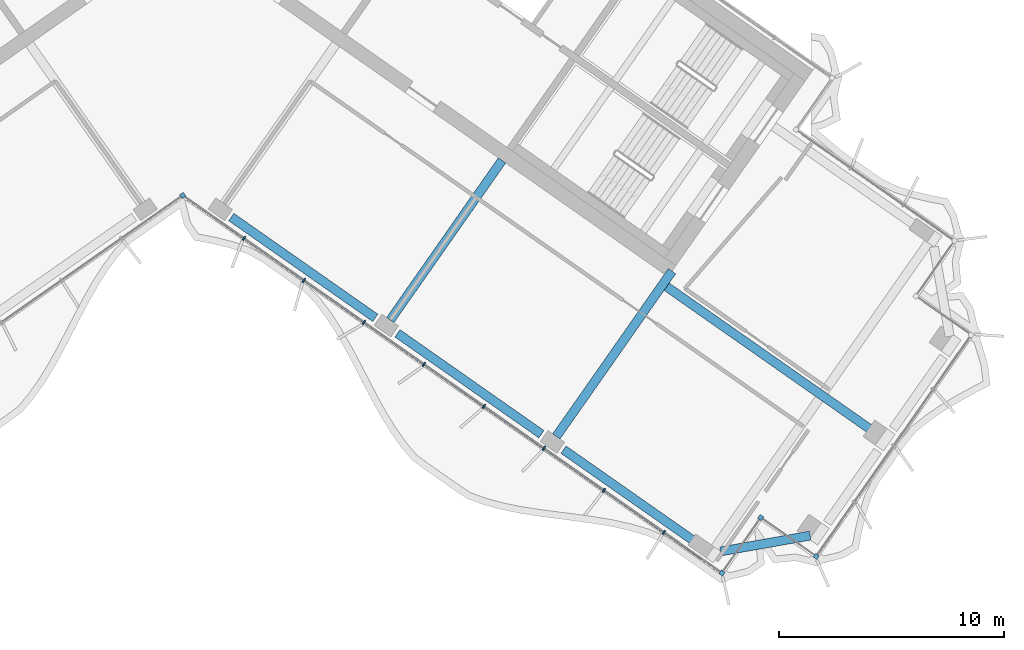
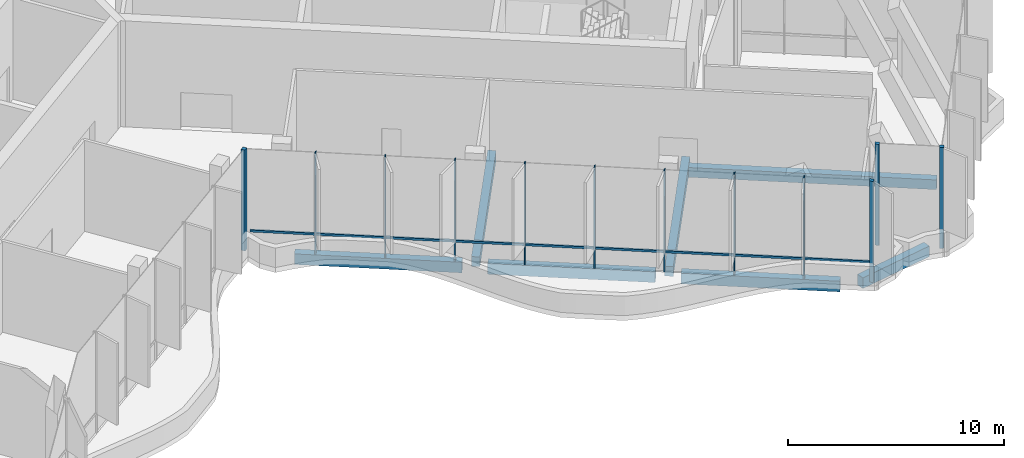
# One storey, part 5 of 22: 13 members, 7 beams, 1 element without a shape of its own.
"""IFC4 building model written with IfcOpenShell, lengths in metres."""

from ifc_helpers import new_model, si_unit, direction, frame, origin, origin_2d, place, context, subcontext, project, spatial, rectangle, extrude, material, material_profile, profile_set, type_object, element, aggregate, save


model = new_model("IFC4")

# Units and contexts
model_context = context("Model", 3, precision=1e-05, world=origin(), true_north=direction((0.0, 1.0)))
body_context = subcontext(model_context, "Body", "Model", "MODEL_VIEW")
ifc_project = project(units=[si_unit("LENGTHUNIT", "METRE"), si_unit("AREAUNIT", "SQUARE_METRE"), si_unit("VOLUMEUNIT", "CUBIC_METRE"), si_unit("PLANEANGLEUNIT", "RADIAN"), si_unit("MASSUNIT", "GRAM", prefix="KILO")], contexts=[model_context])

# Site, building, storey
site_placement = place(None, origin())
site = spatial("IfcSite", under=ifc_project, at=site_placement, CompositionType="ELEMENT")
building_placement = place(site_placement, origin())
building = spatial("IfcBuilding", under=site, at=building_placement, Name="Tel Ilan Convention Tower", CompositionType="ELEMENT")
storey_placement = place(building_placement, frame((0.0, 0.0, 219.39990234375)))
storey = spatial("IfcBuildingStorey", under=building, at=storey_placement, Name="L51", CompositionType="ELEMENT", Elevation=219.39990234375)

# Beams
ifc_material_1 = material(Name="Concrete C40/50", Category="concrete")
ifc_material_profile_1 = material_profile(ifc_material_1, rectangle(XDim=0.39990234375, YDim=0.550048828125, at=origin_2d()), Name="RC 400x550")
ifc_profile_set_1 = profile_set([ifc_material_profile_1], Name="Concrete C40/50")
beam_type_1 = type_object("IfcBeamType", Name="Beam RC 400x550 Concrete C40/50", PredefinedType="BEAM", material=ifc_profile_set_1)
beam_1_placement = place(storey_placement, frame((9.209716796875, -18.229248046875, -0.554931640625), z_axis=(0.573574099654, 0.819153680457, 0.0), x_axis=(-0.819153680457, 0.573574099654, 0.0)))
element("IfcBeam", 1, at=beam_1_placement, inside=storey, type_object=beam_type_1, Name="L51 beam E-E-F2-core", PredefinedType="BEAM", context=body_context, shape_type="SweptSolid", body=[
    extrude(rectangle(XDim=0.39990234375, YDim=0.550048828125, at=origin_2d()), origin(), (0.0, 0.0, 1.0), 8.64990234375),
])
beam_2_placement = place(storey_placement, frame((16.58203125, -23.391357421875, -0.554931640625), z_axis=(0.573584999642, 0.819146048141, 0.0), x_axis=(-0.819146048141, 0.573584999642, 0.0)))
element("IfcBeam", 2, at=beam_2_placement, inside=storey, type_object=beam_type_1, Name="L51 beam E-E-F3-core", PredefinedType="BEAM", context=body_context, shape_type="SweptSolid", body=[
    extrude(rectangle(XDim=0.39990234375, YDim=0.550048828125, at=origin_2d()), origin(), (0.0, 0.0, 1.0), 8.949951171875),
])
beam_3_placement = place(storey_placement, frame((21.477783203125, -16.748046875, -0.554931640625), z_axis=(0.819160415691, -0.573564480564, 0.0), x_axis=(0.573564480564, 0.819160415691, 0.0)))
element("IfcBeam", 3, at=beam_3_placement, inside=storey, type_object=beam_type_1, Name="L51 beam E-core-end", PredefinedType="BEAM", context=body_context, shape_type="SweptSolid", body=[
    extrude(rectangle(XDim=0.39990234375, YDim=0.550048828125, at=origin_2d()), origin(), (0.0, 0.0, 1.0), 11.550048828125),
])
ifc_material_2 = material(Name="Concrete C40/50", Category="concrete")
ifc_material_profile_2 = material_profile(ifc_material_2, rectangle(XDim=0.39990234375, YDim=0.60009765625, at=origin_2d()), Name="RC 400x600")
ifc_profile_set_2 = profile_set([ifc_material_profile_2], Name="Concrete C40/50")
beam_type_2 = type_object("IfcBeamType", Name="Beam RC 400x600 Concrete C40/50", PredefinedType="BEAM", material=ifc_profile_set_2)
for number, where, z_axis, x_axis, name in (
    (4, (2.15673828125, -13.656982421875, -0.579833984375), (0.819153977895, -0.573573674866, 0.0), (0.573573674866, 0.819153977895, 0.0), "L51 beam E-E-F1-E-F2"),
    (5, (9.529052734375, -18.819091796875, -0.579833984375), (0.819153977895, -0.573573674866, 0.0), (0.573573674866, 0.819153977895, 0.0), "L51 beam E-E-F2-E-F3"),
):
    element("IfcBeam", number, at=place(storey_placement, frame(where, z_axis=z_axis, x_axis=x_axis)), inside=storey, type_object=beam_type_2, Name=name, PredefinedType="BEAM", context=body_context, shape_type="SweptSolid", body=[
        extrude(rectangle(XDim=0.39990234375, YDim=0.60009765625, at=origin_2d()), origin(), (0.0, 0.0, 1.0), 7.800048828125),
    ])
beam_4_placement = place(storey_placement, frame((16.901611328125, -23.981201171875, -0.579833984375), z_axis=(0.819148211634, -0.573581909911, 0.0), x_axis=(0.573581909911, 0.819148211634, 0.0)))
element("IfcBeam", 6, at=beam_4_placement, inside=storey, type_object=beam_type_2, Name="L51 beam E-E-F3-E-FC", PredefinedType="BEAM", context=body_context, shape_type="SweptSolid", body=[
    extrude(rectangle(XDim=0.39990234375, YDim=0.60009765625, at=origin_2d()), origin(), (0.0, 0.0, 1.0), 7.39990234375),
])
beam_5_placement = place(storey_placement, frame((23.87255859375, -28.49609375, -0.579833984375), z_axis=(0.984815252405, 0.173605641124, 0.0), x_axis=(-0.173605641124, 0.984815252405, 0.0)))
element("IfcBeam", 7, at=beam_5_placement, inside=storey, type_object=beam_type_2, Name="L51 beam E-E-FC-E-E1", PredefinedType="BEAM", context=body_context, shape_type="SweptSolid", body=[
    extrude(rectangle(XDim=0.39990234375, YDim=0.60009765625, at=origin_2d()), origin(), (0.0, 0.0, 1.0), 4.030517578125),
])

# Curtain wall, members
ifc_material_3 = material(Name="Aluminium, bronze anodised", Category="aluminium")
curtain_wall_type = type_object("IfcCurtainWallType", Name="CW5 STICK CURTAIN WALL, UPPER OFFICE LOW-IRON TINTED GLASS", PredefinedType="NOTDEFINED", material=ifc_material_3)
curtain_wall_placement = place(storey_placement, origin())
curtain_wall = element("IfcCurtainWall", 8, at=curtain_wall_placement, inside=storey, type_object=curtain_wall_type, Name="Curtain wall CW5-40.02", PredefinedType="NOTDEFINED")
ifc_material_4 = material(Name="Aluminium, bronze anodised", Category="aluminium")
ifc_material_profile_3 = material_profile(ifc_material_4, rectangle(XDim=0.199951171875, YDim=0.199951171875, at=origin_2d()), Name="CW CORNER MULLION 200x200")
ifc_profile_set_3 = profile_set([ifc_material_profile_3], Name="Aluminium, bronze anodised")
member_type_1 = type_object("IfcMemberType", Name="CW CORNER MULLION 200x200", PredefinedType="MULLION", material=ifc_profile_set_3)
member_1_placement = place(storey_placement, frame((0.0, -12.696044921875, 0.0), z_axis=(0.0, 0.0, 1.0), x_axis=(0.819152044289, 0.573576436351, 0.0)))
member_1 = element("IfcMember", 9, at=member_1_placement, type_object=member_type_1, Name="Corner mullion", PredefinedType="MULLION", context=body_context, shape_type="SweptSolid", body=[
    extrude(rectangle(XDim=0.199951171875, YDim=0.199951171875, at=origin_2d()), origin(), (0.0, 0.0, 1.0), 5.72021484375),
])
member_2_placement = place(storey_placement, frame((23.933837890625, -29.454833984375, 0.0), z_axis=(0.0, 0.0, 1.0), x_axis=(0.819152044289, -0.573576436351, 0.0)))
member_2 = element("IfcMember", 10, at=member_2_placement, type_object=member_type_1, Name="Corner mullion", PredefinedType="MULLION", context=body_context, shape_type="SweptSolid", body=[
    extrude(rectangle(XDim=0.199951171875, YDim=0.199951171875, at=origin_2d()), origin(), (0.0, 0.0, 1.0), 5.72021484375),
])
member_3_placement = place(storey_placement, frame((25.654541015625, -26.997314453125, 0.0), z_axis=(0.0, 0.0, 1.0), x_axis=(0.573576436351, 0.819152044289, 0.0)))
member_3 = element("IfcMember", 11, at=member_3_placement, type_object=member_type_1, Name="Corner mullion", PredefinedType="MULLION", context=body_context, shape_type="SweptSolid", body=[
    extrude(rectangle(XDim=0.199951171875, YDim=0.199951171875, at=origin_2d()), origin(), (0.0, 0.0, 1.0), 5.72021484375),
])
member_4_placement = place(storey_placement, frame((28.112060546875, -28.718017578125, 0.0), z_axis=(0.0, 0.0, 1.0), x_axis=(0.819152044289, -0.573576436351, 0.0)))
member_4 = element("IfcMember", 12, at=member_4_placement, type_object=member_type_1, Name="Corner mullion", PredefinedType="MULLION", context=body_context, shape_type="SweptSolid", body=[
    extrude(rectangle(XDim=0.199951171875, YDim=0.199951171875, at=origin_2d()), origin(), (0.0, 0.0, 1.0), 5.72021484375),
])
ifc_material_5 = material(Name="Aluminium, bronze anodised", Category="aluminium")
ifc_material_profile_4 = material_profile(ifc_material_5, rectangle(XDim=0.06005859375, YDim=0.199951171875, at=origin_2d()), Name="CW MULLION 60x200")
ifc_profile_set_4 = profile_set([ifc_material_profile_4], Name="Aluminium, bronze anodised")
member_type_2 = type_object("IfcMemberType", Name="CW MULLION 60x200", PredefinedType="MULLION", material=ifc_profile_set_4)
member_5_placement = place(storey_placement, frame((2.719482421875, -14.60009765625, 0.0), z_axis=(0.0, 0.0, 1.0), x_axis=(0.819152044289, -0.573576436351, 0.0)))
member_5 = element("IfcMember", 13, at=member_5_placement, type_object=member_type_2, Name="Mullion", PredefinedType="MULLION", context=body_context, shape_type="SweptSolid", body=[
    extrude(rectangle(XDim=0.06005859375, YDim=0.199951171875, at=origin_2d()), origin(), (0.0, 0.0, 1.0), 5.72021484375),
])
member_6_placement = place(storey_placement, frame((5.38134765625, -16.464111328125, 0.0), z_axis=(0.0, 0.0, 1.0), x_axis=(0.819152044289, -0.573576436351, 0.0)))
member_6 = element("IfcMember", 14, at=member_6_placement, type_object=member_type_2, Name="Mullion", PredefinedType="MULLION", context=body_context, shape_type="SweptSolid", body=[
    extrude(rectangle(XDim=0.06005859375, YDim=0.199951171875, at=origin_2d()), origin(), (0.0, 0.0, 1.0), 5.72021484375),
])
member_7_placement = place(storey_placement, frame((8.04345703125, -18.328125, 0.0), z_axis=(0.0, 0.0, 1.0), x_axis=(0.819152044289, -0.573576436351, 0.0)))
member_7 = element("IfcMember", 15, at=member_7_placement, type_object=member_type_2, Name="Mullion", PredefinedType="MULLION", context=body_context, shape_type="SweptSolid", body=[
    extrude(rectangle(XDim=0.06005859375, YDim=0.199951171875, at=origin_2d()), origin(), (0.0, 0.0, 1.0), 5.72021484375),
])
member_8_placement = place(storey_placement, frame((10.70556640625, -20.192138671875, 0.0), z_axis=(0.0, 0.0, 1.0), x_axis=(0.819152044289, -0.573576436351, 0.0)))
member_8 = element("IfcMember", 16, at=member_8_placement, type_object=member_type_2, Name="Mullion", PredefinedType="MULLION", context=body_context, shape_type="SweptSolid", body=[
    extrude(rectangle(XDim=0.06005859375, YDim=0.199951171875, at=origin_2d()), origin(), (0.0, 0.0, 1.0), 5.72021484375),
])
member_9_placement = place(storey_placement, frame((13.36767578125, -22.05615234375, 0.0), z_axis=(0.0, 0.0, 1.0), x_axis=(0.819152044289, -0.573576436351, 0.0)))
member_9 = element("IfcMember", 17, at=member_9_placement, type_object=member_type_2, Name="Mullion", PredefinedType="MULLION", context=body_context, shape_type="SweptSolid", body=[
    extrude(rectangle(XDim=0.06005859375, YDim=0.199951171875, at=origin_2d()), origin(), (0.0, 0.0, 1.0), 5.72021484375),
])
member_10_placement = place(storey_placement, frame((16.029541015625, -23.920166015625, 0.0), z_axis=(0.0, 0.0, 1.0), x_axis=(0.819152044289, -0.573576436351, 0.0)))
member_10 = element("IfcMember", 18, at=member_10_placement, type_object=member_type_2, Name="Mullion", PredefinedType="MULLION", context=body_context, shape_type="SweptSolid", body=[
    extrude(rectangle(XDim=0.06005859375, YDim=0.199951171875, at=origin_2d()), origin(), (0.0, 0.0, 1.0), 5.72021484375),
])
member_11_placement = place(storey_placement, frame((18.691650390625, -25.7841796875, 0.0), z_axis=(0.0, 0.0, 1.0), x_axis=(0.819152044289, -0.573576436351, 0.0)))
member_11 = element("IfcMember", 19, at=member_11_placement, type_object=member_type_2, Name="Mullion", PredefinedType="MULLION", context=body_context, shape_type="SweptSolid", body=[
    extrude(rectangle(XDim=0.06005859375, YDim=0.199951171875, at=origin_2d()), origin(), (0.0, 0.0, 1.0), 5.72021484375),
])
member_12_placement = place(storey_placement, frame((21.353759765625, -27.648193359375, 0.0), z_axis=(0.0, 0.0, 1.0), x_axis=(0.819152044289, -0.573576436351, 0.0)))
member_12 = element("IfcMember", 20, at=member_12_placement, type_object=member_type_2, Name="Mullion", PredefinedType="MULLION", context=body_context, shape_type="SweptSolid", body=[
    extrude(rectangle(XDim=0.06005859375, YDim=0.199951171875, at=origin_2d()), origin(), (0.0, 0.0, 1.0), 5.72021484375),
])
ifc_material_6 = material(Name="Aluminium, bronze anodised", Category="aluminium")
ifc_material_profile_5 = material_profile(ifc_material_6, rectangle(XDim=0.10009765625, YDim=0.1201171875, at=origin_2d()), Name="CW TRANSOM 100x120")
ifc_profile_set_5 = profile_set([ifc_material_profile_5], Name="Aluminium, bronze anodised")
member_type_3 = type_object("IfcMemberType", Name="CW TRANSOM 100x120", PredefinedType="USERDEFINED", material=ifc_profile_set_5)
member_13_placement = place(storey_placement, frame((0.22119140625, -12.850830078125, 1.10009765625), z_axis=(0.819150008568, -0.573579343651, 0.0), x_axis=(0.573579343651, 0.819150008568, 0.0)))
member_13 = element("IfcMember", 21, at=member_13_placement, type_object=member_type_3, Name="Transom", ObjectType="TRANSOM", PredefinedType="USERDEFINED", context=body_context, shape_type="SweptSolid", body=[
    extrude(rectangle(XDim=0.10009765625, YDim=0.1201171875, at=origin_2d()), origin(), (0.0, 0.0, 1.0), 28.84814453125),
])
aggregate(curtain_wall, [member_1, member_5, member_6, member_7, member_8, member_9, member_10, member_11, member_12, member_2, member_13, member_3, member_4])

save(model, "model.ifc")
